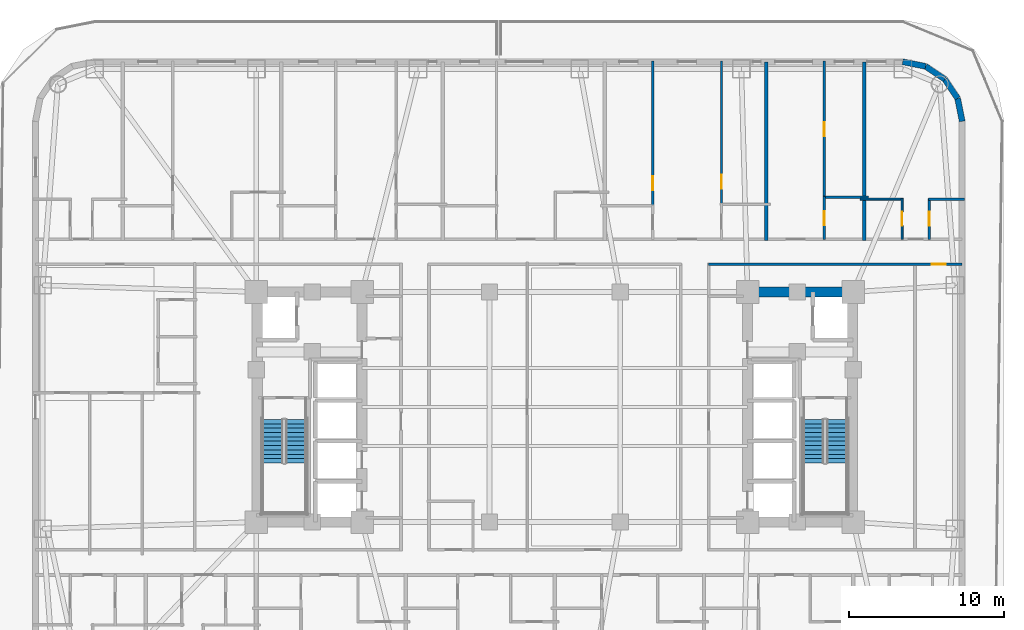
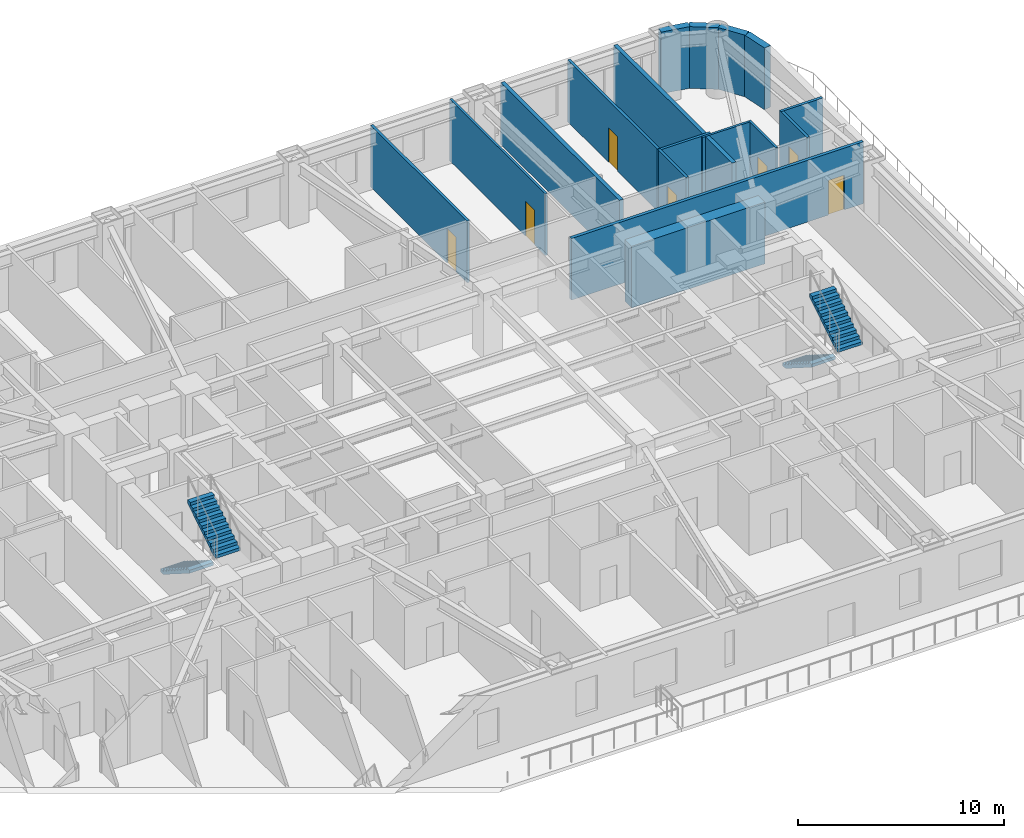
# One storey, part 9 of 14: 17 walls, 7 doors, 4 stair flights, 7 openings, 2 elements without a shape of their own.
"""IFC4 building model written with IfcOpenShell, lengths in metres."""

from ifc_helpers import new_model, si_unit, direction, frame, frame_2d, origin, place, context, subcontext, project, spatial, polyline, rectangle, outline, extrude, material, layer, layer_set, type_object, element, fill, aggregate, save


model = new_model("IFC4")

# Units and contexts
model_context = context("Model", 3, precision=1e-05, world=origin(), true_north=direction((0.0, 1.0)))
body_context = subcontext(model_context, "Body", "Model", "MODEL_VIEW")
ifc_project = project(units=[si_unit("LENGTHUNIT", "METRE"), si_unit("AREAUNIT", "SQUARE_METRE"), si_unit("VOLUMEUNIT", "CUBIC_METRE"), si_unit("PLANEANGLEUNIT", "RADIAN"), si_unit("MASSUNIT", "GRAM", prefix="KILO")], contexts=[model_context])

# Site, building, storey
site_placement = place(None, origin())
site = spatial("IfcSite", under=ifc_project, at=site_placement, CompositionType="ELEMENT")
building_placement = place(site_placement, origin())
building = spatial("IfcBuilding", under=site, at=building_placement, Name="Voryun Gate Residences", CompositionType="ELEMENT")
storey_placement = place(building_placement, frame((0.0, 0.0, 53.300048828125)))
storey = spatial("IfcBuildingStorey", under=building, at=storey_placement, Name="L12", CompositionType="ELEMENT", Elevation=53.300048828125)

# Wall
ifc_material_1 = material(Name="Concrete C60/75", Category="concrete")
ifc_layer_1 = layer(ifc_material_1, 0.64990234375, Name="CW_CORE_650")
ifc_layer_set_1 = layer_set([ifc_layer_1], Name="Concrete C60/75")
wall_type_1 = type_object("IfcWallType", Name="CW_CORE_650", PredefinedType="SHEAR", material=ifc_layer_set_1)
wall_1_placement = place(storey_placement, frame((12.074951171875, 7.39990234375, 0.0), z_axis=(0.0, 0.0, 1.0), x_axis=(1.0, 0.0, 0.0)))
element("IfcWall", 1, at=wall_1_placement, inside=storey, type_object=wall_type_1, Name="L12 Core shear wall CW-L12-EN", PredefinedType="SHEAR", context=body_context, shape_type="SweptSolid", body=[
    extrude(rectangle(XDim=7.449951171875, YDim=0.64990234375, at=frame_2d((3.72509765625, 0.0))), origin(), (0.0, 0.0, 1.0), 3.64990234375),
])

# Wall, opening, door
ifc_material_2 = material(Name="Gypsum acoustic fireboard")
ifc_layer_2 = layer(ifc_material_2, 0.179931640625, Name="W_CORR_RATED_180")
ifc_layer_set_2 = layer_set([ifc_layer_2], Name="Gypsum acoustic fireboard")
wall_type_2 = type_object("IfcWallType", Name="W_CORR_RATED_180", PredefinedType="PARTITIONING", material=ifc_layer_set_2)
wall_2_placement = place(storey_placement, frame((9.8798828125, 9.18994140625, 0.0), z_axis=(0.0, 0.0, 1.0), x_axis=(1.0, 0.0, 0.0)))
wall_2 = element("IfcWall", 2, at=wall_2_placement, inside=storey, type_object=wall_type_2, Name="Partition wall WP-L12-CWING-EN", PredefinedType="PARTITIONING", context=body_context, shape_type="SweptSolid", body=[
    extrude(rectangle(XDim=16.330078125, YDim=0.179931640625, at=frame_2d((8.1650390625, 0.0))), origin(), (0.0, 0.0, 1.0), 3.64990234375),
])
opening_1_placement = place(wall_2_placement, frame((14.364501953125, 0.0, 0.0)))
opening_1 = element("IfcOpeningElement", 3, at=opening_1_placement, cuts=wall_2, Name="Opening D-INT-2", PredefinedType="OPENING", context=body_context, shape_type="SweptSolid", body=[
    extrude(rectangle(XDim=0.89990234375, YDim=2.050048828125, at=frame_2d((0.449951171875, 1.02490234375))), frame((0.0, 0.099853515625, 0.0), z_axis=(0.0, -1.0, 0.0), x_axis=(1.0, 0.0, 0.0)), (0.0, 0.0, 1.0), 0.199951171875),
])
ifc_material_3 = material(Name="Architectural oak veneer")
door_type = type_object("IfcDoorType", Name="DR_INT_BATH_900", OperationType="NOTDEFINED", PredefinedType="DOOR", material=ifc_material_3)
door_1_placement = place(opening_1_placement, origin())
door_1 = element("IfcDoor", 4, at=door_1_placement, inside=storey, type_object=door_type, Name="Door DR-L12-EE1N", OperationType="SINGLE_SWING_LEFT", OverallHeight=2.050048828125, OverallWidth=0.89990234375, PredefinedType="DOOR", context=body_context, shape_type="SweptSolid", body=[
    extrude(rectangle(XDim=0.89990234375, YDim=2.050048828125, at=frame_2d((0.449951171875, 1.02490234375))), frame((0.0, 0.02490234375, 0.0), z_axis=(0.0, -1.0, 0.0), x_axis=(1.0, 0.0, 0.0)), (0.0, 0.0, 1.0), 0.050048828125),
])
fill(opening_1, door_1)

# Walls
ifc_material_4 = material(Name="Granite masonry", Category="masonry")
ifc_layer_3 = layer(ifc_material_4, 0.3798828125, Name="W_EXT_GRANITE_380")
ifc_layer_set_3 = layer_set([ifc_layer_3], Name="Granite masonry")
wall_type_3 = type_object("IfcWallType", Name="W_EXT_GRANITE_380", PredefinedType="ELEMENTEDWALL", material=ifc_layer_set_3)
wall_3_placement = place(storey_placement, frame((22.38134765625, 22.2099609375, 0.0), z_axis=(0.0, 0.0, 1.0), x_axis=(0.980786132421, -0.195086038585, 0.0)))
element("IfcWall", 5, at=wall_3_placement, inside=storey, type_object=wall_type_3, Name="Exterior wall WEXT-L12-12", PredefinedType="ELEMENTEDWALL", context=body_context, shape_type="SweptSolid", body=[
    extrude(rectangle(XDim=1.504150390625, YDim=0.3798828125, at=frame_2d((0.751953125, 0.0))), origin(), (0.0, 0.0, 1.0), 3.64990234375),
])
for number, where, z_axis, x_axis, name in (
    (6, (23.856689453125, 21.91650390625, 0.0), (0.0, 0.0, 1.0), (0.831392092774, -0.555686231674, 0.0), "Exterior wall WEXT-L12-13"),
    (7, (25.09130859375, 21.09130859375, 0.0), (0.0, 0.0, 1.0), (0.555686231674, -0.831392092774, 0.0), "Exterior wall WEXT-L12-14"),
):
    element("IfcWall", number, at=place(storey_placement, frame(where, z_axis=z_axis, x_axis=x_axis)), inside=storey, type_object=wall_type_3, Name=name, PredefinedType="ELEMENTEDWALL", context=body_context, shape_type="SweptSolid", body=[
        extrude(rectangle(XDim=1.485107421875, YDim=0.3798828125, at=frame_2d((0.74267578125, 0.0))), origin(), (0.0, 0.0, 1.0), 3.64990234375),
    ])
wall_4_placement = place(storey_placement, frame((25.91650390625, 19.856689453125, 0.0), z_axis=(0.0, 0.0, 1.0), x_axis=(0.195086038585, -0.980786132421, 0.0)))
element("IfcWall", 8, at=wall_4_placement, inside=storey, type_object=wall_type_3, Name="Exterior wall WEXT-L12-15", PredefinedType="ELEMENTEDWALL", context=body_context, shape_type="SweptSolid", body=[
    extrude(rectangle(XDim=1.504150390625, YDim=0.3798828125, at=frame_2d((0.751953125, 0.0))), origin(), (0.0, 0.0, 1.0), 3.64990234375),
])
ifc_material_5 = material(Name="Concrete C40/50", Category="concrete")
ifc_layer_4 = layer(ifc_material_5, 0.219970703125, Name="W_PARTY_ACOUSTIC_220")
ifc_layer_set_4 = layer_set([ifc_layer_4], Name="Concrete C40/50")
wall_type_4 = type_object("IfcWallType", Name="W_PARTY_ACOUSTIC_220", PredefinedType="PARTITIONING", material=ifc_layer_set_4)
for number, where, z_axis, x_axis, name in (
    (9, (13.60009765625, 10.719970703125, 0.0), (0.0, 0.0, 1.0), (0.0, 1.0, 0.0), "Partition wall WP-L12-NPTY-5"),
    (10, (19.908935546875, 10.719970703125, 0.0), (0.0, 0.0, 1.0), (0.0, 1.0, 0.0), "Partition wall WP-L12-NPTY-6"),
):
    element("IfcWall", number, at=place(storey_placement, frame(where, z_axis=z_axis, x_axis=x_axis)), inside=storey, type_object=wall_type_4, Name=name, PredefinedType="PARTITIONING", context=body_context, shape_type="SweptSolid", body=[
        extrude(rectangle(XDim=11.489990234375, YDim=0.219970703125, at=frame_2d((5.7451171875, 0.0))), origin(), (0.0, 0.0, 1.0), 3.64990234375),
    ])

# Wall, opening, door
ifc_material_6 = material(Name="Gypsum acoustic partition")
ifc_layer_5 = layer(ifc_material_6, 0.125, Name="W_UNIT_PART_125")
ifc_layer_set_5 = layer_set([ifc_layer_5], Name="Gypsum acoustic partition")
wall_type_5 = type_object("IfcWallType", Name="W_UNIT_PART_125", PredefinedType="PARTITIONING", material=ifc_layer_set_5)
wall_5_placement = place(storey_placement, frame((10.722900390625, 13.0, 0.0), z_axis=(0.0, 0.0, 1.0), x_axis=(0.0, 1.0, 0.0)))
wall_5 = element("IfcWall", 11, at=wall_5_placement, inside=storey, type_object=wall_type_5, Name="Partition wall WP-L12-N5-RVX2", PredefinedType="PARTITIONING", context=body_context, shape_type="SweptSolid", body=[
    extrude(rectangle(XDim=9.257568359375, YDim=0.125, at=frame_2d((4.62890625, 0.0))), origin(), (0.0, 0.0, 1.0), 3.64990234375),
])
opening_2_placement = place(wall_5_placement, frame((1.03125, 0.0, 0.0)))
opening_2 = element("IfcOpeningElement", 12, at=opening_2_placement, cuts=wall_5, Name="Opening D-INT-2", PredefinedType="OPENING", context=body_context, shape_type="SweptSolid", body=[
    extrude(rectangle(XDim=0.89990234375, YDim=2.050048828125, at=frame_2d((0.449951171875, 1.02490234375))), frame((0.0, 0.072509765625, 0.0), z_axis=(0.0, -1.0, 0.0), x_axis=(1.0, 0.0, 0.0)), (0.0, 0.0, 1.0), 0.14501953125),
])
door_2_placement = place(opening_2_placement, origin())
door_2 = element("IfcDoor", 13, at=door_2_placement, inside=storey, type_object=door_type, Name="Door DR-L12-N5-DB2", OperationType="SINGLE_SWING_LEFT", OverallHeight=2.050048828125, OverallWidth=0.89990234375, PredefinedType="DOOR", context=body_context, shape_type="SweptSolid", body=[
    extrude(rectangle(XDim=0.89990234375, YDim=2.050048828125, at=frame_2d((0.449951171875, 1.02490234375))), frame((0.0, 0.02490234375, 0.0), z_axis=(0.0, -1.0, 0.0), x_axis=(1.0, 0.0, 0.0)), (0.0, 0.0, 1.0), 0.050048828125),
])
fill(opening_2, door_2)

wall_6_placement = place(storey_placement, frame((22.343017578125, 10.780029296875, 0.0), z_axis=(0.0, 0.0, 1.0), x_axis=(0.0, 1.0, 0.0)))
wall_6 = element("IfcWall", 14, at=wall_6_placement, inside=storey, type_object=wall_type_5, Name="Partition wall WP-L12-N7-CVK", PredefinedType="PARTITIONING", context=body_context, shape_type="SweptSolid", body=[
    extrude(rectangle(XDim=2.64990234375, YDim=0.125, at=frame_2d((1.324951171875, 0.0))), origin(), (0.0, 0.0, 1.0), 3.64990234375),
])
opening_3_placement = place(wall_6_placement, frame((0.875, 0.0, 0.0)))
opening_3 = element("IfcOpeningElement", 15, at=opening_3_placement, cuts=wall_6, Name="Opening D-INT-2", PredefinedType="OPENING", context=body_context, shape_type="SweptSolid", body=[
    extrude(rectangle(XDim=0.89990234375, YDim=2.050048828125, at=frame_2d((0.449951171875, 1.02490234375))), frame((0.0, 0.072509765625, 0.0), z_axis=(0.0, -1.0, 0.0), x_axis=(1.0, 0.0, 0.0)), (0.0, 0.0, 1.0), 0.14501953125),
])
door_3_placement = place(opening_3_placement, origin())
door_3 = element("IfcDoor", 16, at=door_3_placement, inside=storey, type_object=door_type, Name="Door DR-L12-N7-DK", OperationType="SINGLE_SWING_LEFT", OverallHeight=2.050048828125, OverallWidth=0.89990234375, PredefinedType="DOOR", context=body_context, shape_type="SweptSolid", body=[
    extrude(rectangle(XDim=0.89990234375, YDim=2.050048828125, at=frame_2d((0.449951171875, 1.02490234375))), frame((0.0, 0.02490234375, 0.0), z_axis=(0.0, -1.0, 0.0), x_axis=(1.0, 0.0, 0.0)), (0.0, 0.0, 1.0), 0.050048828125),
])
fill(opening_3, door_3)

# Wall
wall_7_placement = place(storey_placement, frame((19.64892578125, 13.3701171875, 0.0), z_axis=(0.0, 0.0, 1.0), x_axis=(1.0, 0.0, 0.0)))
element("IfcWall", 17, at=wall_7_placement, inside=storey, type_object=wall_type_5, Name="Partition wall WP-L12-N7-CHK", PredefinedType="PARTITIONING", context=body_context, shape_type="SweptSolid", body=[
    extrude(rectangle(XDim=2.754150390625, YDim=0.125, at=frame_2d((1.376953125, 0.0))), origin(), (0.0, 0.0, 1.0), 3.64990234375),
])

# Wall, opening, door
ifc_material_7 = material(Name="Gypsum moisture-resistant partition")
ifc_layer_6 = layer(ifc_material_7, 0.14990234375, Name="W_WET_PLUMB_150")
ifc_layer_set_6 = layer_set([ifc_layer_6], Name="Gypsum moisture-resistant partition")
wall_type_6 = type_object("IfcWallType", Name="W_WET_PLUMB_150", PredefinedType="PLUMBINGWALL", material=ifc_layer_set_6)
wall_8_placement = place(storey_placement, frame((6.302978515625, 12.89990234375, 0.0), z_axis=(0.0, 0.0, 1.0), x_axis=(0.0, 1.0, 0.0)))
wall_8 = element("IfcWall", 18, at=wall_8_placement, inside=storey, type_object=wall_type_6, Name="Partition wall WP-L12-N5-LVX2", PredefinedType="PLUMBINGWALL", context=body_context, shape_type="SweptSolid", body=[
    extrude(rectangle(XDim=9.357666015625, YDim=0.14990234375, at=frame_2d((4.6787109375, 0.0))), origin(), (0.0, 0.0, 1.0), 3.64990234375),
])
opening_4_placement = place(wall_8_placement, frame((1.047119140625, 0.0, 0.0)))
opening_4 = element("IfcOpeningElement", 19, at=opening_4_placement, cuts=wall_8, Name="Opening D-INT-2", PredefinedType="OPENING", context=body_context, shape_type="SweptSolid", body=[
    extrude(rectangle(XDim=0.89990234375, YDim=2.050048828125, at=frame_2d((0.449951171875, 1.02490234375))), frame((0.0, 0.0849609375, 0.0), z_axis=(0.0, -1.0, 0.0), x_axis=(1.0, 0.0, 0.0)), (0.0, 0.0, 1.0), 0.169921875),
])
door_4_placement = place(opening_4_placement, origin())
door_4 = element("IfcDoor", 20, at=door_4_placement, inside=storey, type_object=door_type, Name="Door DR-L12-N5-DMB", OperationType="SINGLE_SWING_RIGHT", OverallHeight=2.050048828125, OverallWidth=0.89990234375, PredefinedType="DOOR", context=body_context, shape_type="SweptSolid", body=[
    extrude(rectangle(XDim=0.89990234375, YDim=2.050048828125, at=frame_2d((0.449951171875, 1.02490234375))), frame((0.0, 0.02490234375, 0.0), z_axis=(0.0, -1.0, 0.0), x_axis=(1.0, 0.0, 0.0)), (0.0, 0.0, 1.0), 0.050048828125),
])
fill(opening_4, door_4)

# Wall
wall_9_placement = place(storey_placement, frame((17.25, 13.5, 0.0), z_axis=(0.0, 0.0, 1.0), x_axis=(1.0, 0.0, 0.0)))
element("IfcWall", 21, at=wall_9_placement, inside=storey, type_object=wall_type_6, Name="Partition wall WP-L12-N6-SKB", PredefinedType="PLUMBINGWALL", context=body_context, shape_type="SweptSolid", body=[
    extrude(rectangle(XDim=2.9189453125, YDim=0.14990234375, at=frame_2d((1.45947265625, 0.0))), origin(), (0.0, 0.0, 1.0), 3.64990234375),
])

# Wall, opening, door
wall_10_placement = place(storey_placement, frame((17.330078125, 10.780029296875, 0.0), z_axis=(0.0, 0.0, 1.0), x_axis=(0.0, 1.0, 0.0)))
wall_10 = element("IfcWall", 22, at=wall_10_placement, inside=storey, type_object=wall_type_6, Name="Partition wall WP-L12-N6-SVT1", PredefinedType="PLUMBINGWALL", context=body_context, shape_type="SweptSolid", body=[
    extrude(rectangle(XDim=2.760009765625, YDim=0.14990234375, at=frame_2d((1.3798828125, 0.0))), origin(), (0.0, 0.0, 1.0), 3.64990234375),
])
opening_5_placement = place(wall_10_placement, frame((0.929931640625, 0.0, 0.0)))
opening_5 = element("IfcOpeningElement", 23, at=opening_5_placement, cuts=wall_10, Name="Opening D-INT-2", PredefinedType="OPENING", context=body_context, shape_type="SweptSolid", body=[
    extrude(rectangle(XDim=0.89990234375, YDim=2.050048828125, at=frame_2d((0.449951171875, 1.02490234375))), frame((0.0, 0.0849609375, 0.0), z_axis=(0.0, -1.0, 0.0), x_axis=(1.0, 0.0, 0.0)), (0.0, 0.0, 1.0), 0.169921875),
])
door_5_placement = place(opening_5_placement, origin())
door_5 = element("IfcDoor", 24, at=door_5_placement, inside=storey, type_object=door_type, Name="Door DR-L12-N6-DB", OperationType="SINGLE_SWING_LEFT", OverallHeight=2.050048828125, OverallWidth=0.89990234375, PredefinedType="DOOR", context=body_context, shape_type="SweptSolid", body=[
    extrude(rectangle(XDim=0.89990234375, YDim=2.050048828125, at=frame_2d((0.449951171875, 1.02490234375))), frame((0.0, 0.02490234375, 0.0), z_axis=(0.0, -1.0, 0.0), x_axis=(1.0, 0.0, 0.0)), (0.0, 0.0, 1.0), 0.050048828125),
])
fill(opening_5, door_5)

wall_11_placement = place(storey_placement, frame((17.330078125, 13.4599609375, 0.0), z_axis=(0.0, 0.0, 1.0), x_axis=(0.0, 1.0, 0.0)))
wall_11 = element("IfcWall", 25, at=wall_11_placement, inside=storey, type_object=wall_type_6, Name="Partition wall WP-L12-N6-SVT2", PredefinedType="PLUMBINGWALL", context=body_context, shape_type="SweptSolid", body=[
    extrude(rectangle(XDim=8.797607421875, YDim=0.14990234375, at=frame_2d((4.39892578125, 0.0))), origin(), (0.0, 0.0, 1.0), 3.64990234375),
])
opening_6_placement = place(wall_11_placement, frame((3.94873046875, 0.0, 0.0)))
opening_6 = element("IfcOpeningElement", 26, at=opening_6_placement, cuts=wall_11, Name="Opening D-INT-2", PredefinedType="OPENING", context=body_context, shape_type="SweptSolid", body=[
    extrude(rectangle(XDim=0.89990234375, YDim=2.050048828125, at=frame_2d((0.449951171875, 1.02490234375))), frame((0.0, 0.0849609375, 0.0), z_axis=(0.0, -1.0, 0.0), x_axis=(1.0, 0.0, 0.0)), (0.0, 0.0, 1.0), 0.169921875),
])
door_6_placement = place(opening_6_placement, origin())
door_6 = element("IfcDoor", 27, at=door_6_placement, inside=storey, type_object=door_type, Name="Door DR-L12-N6-DK", OperationType="SINGLE_SWING_RIGHT", OverallHeight=2.050048828125, OverallWidth=0.89990234375, PredefinedType="DOOR", context=body_context, shape_type="SweptSolid", body=[
    extrude(rectangle(XDim=0.89990234375, YDim=2.050048828125, at=frame_2d((0.449951171875, 1.02490234375))), frame((0.0, 0.02490234375, 0.0), z_axis=(0.0, -1.0, 0.0), x_axis=(1.0, 0.0, 0.0)), (0.0, 0.0, 1.0), 0.050048828125),
])
fill(opening_6, door_6)

wall_12_placement = place(storey_placement, frame((24.093017578125, 10.780029296875, 0.0), z_axis=(0.0, 0.0, 1.0), x_axis=(0.0, 1.0, 0.0)))
wall_12 = element("IfcWall", 28, at=wall_12_placement, inside=storey, type_object=wall_type_6, Name="Partition wall WP-L12-N7-CVB", PredefinedType="PLUMBINGWALL", context=body_context, shape_type="SweptSolid", body=[
    extrude(rectangle(XDim=2.64990234375, YDim=0.14990234375, at=frame_2d((1.324951171875, 0.0))), origin(), (0.0, 0.0, 1.0), 3.64990234375),
])
opening_7_placement = place(wall_12_placement, frame((0.875, 0.0, 0.0)))
opening_7 = element("IfcOpeningElement", 29, at=opening_7_placement, cuts=wall_12, Name="Opening D-INT-2", PredefinedType="OPENING", context=body_context, shape_type="SweptSolid", body=[
    extrude(rectangle(XDim=0.89990234375, YDim=2.050048828125, at=frame_2d((0.449951171875, 1.02490234375))), frame((0.0, 0.0849609375, 0.0), z_axis=(0.0, -1.0, 0.0), x_axis=(1.0, 0.0, 0.0)), (0.0, 0.0, 1.0), 0.169921875),
])
door_7_placement = place(opening_7_placement, origin())
door_7 = element("IfcDoor", 30, at=door_7_placement, inside=storey, type_object=door_type, Name="Door DR-L12-N7-DB", OperationType="SINGLE_SWING_RIGHT", OverallHeight=2.050048828125, OverallWidth=0.89990234375, PredefinedType="DOOR", context=body_context, shape_type="SweptSolid", body=[
    extrude(rectangle(XDim=0.89990234375, YDim=2.050048828125, at=frame_2d((0.449951171875, 1.02490234375))), frame((0.0, 0.02490234375, 0.0), z_axis=(0.0, -1.0, 0.0), x_axis=(1.0, 0.0, 0.0)), (0.0, 0.0, 1.0), 0.050048828125),
])
fill(opening_7, door_7)

# Wall
wall_13_placement = place(storey_placement, frame((24.032958984375, 13.3701171875, 0.0), z_axis=(0.0, 0.0, 1.0), x_axis=(1.0, 0.0, 0.0)))
element("IfcWall", 31, at=wall_13_placement, inside=storey, type_object=wall_type_6, Name="Partition wall WP-L12-N7-CHB", PredefinedType="PLUMBINGWALL", context=body_context, shape_type="SweptSolid", body=[
    extrude(rectangle(XDim=2.3271484375, YDim=0.14990234375, at=frame_2d((1.16357421875, 0.0))), origin(), (0.0, 0.0, 1.0), 3.64990234375),
])

# Stair, stair flights
ifc_material_8 = material(Name="Concrete C40/50", Category="concrete")
stair_type = type_object("IfcStairType", Name="STR_CORE_DOGLEG_1350", PredefinedType="HALF_TURN_STAIR", material=ifc_material_8)
stair_1_placement = place(storey_placement, origin())
stair_1 = element("IfcStair", 32, at=stair_1_placement, inside=storey, type_object=stair_type, Name="L12 Special Escape Stair ST-W1", PredefinedType="HALF_TURN_STAIR")
ifc_material_9 = material(Name="Concrete C40/50", Category="concrete")
stair_flight_type = type_object("IfcStairFlightType", Name="FLT_CORE_1350", PredefinedType="STRAIGHT", material=ifc_material_9)
stair_flight_1_placement = place(storey_placement, frame((-18.14990234375, -0.800048828125, 0.0), z_axis=(0.0, 0.0, 1.0), x_axis=(0.0, -1.0, 0.0)))
stair_flight_1 = element("IfcStairFlight", 33, at=stair_flight_1_placement, type_object=stair_flight_type, Name="ST-W1 flight 1", NumberOfRisers=11, NumberOfTreads=10, PredefinedType="STRAIGHT", RiserHeight=0.177272727, TreadLength=0.28, context=body_context, shape_type="SweptSolid", body=[
    extrude(outline(polyline([(0.0, 0.0), (0.0, 0.17724609375), (0.280029296875, 0.17724609375), (0.280029296875, 0.3544921875), (0.56005859375, 0.3544921875), (0.56005859375, 0.53173828125), (0.840087890625, 0.53173828125), (0.840087890625, 0.708984375), (1.1201171875, 0.708984375), (1.1201171875, 0.886474609375), (1.39990234375, 0.886474609375), (1.39990234375, 1.063720703125), (1.679931640625, 1.063720703125), (1.679931640625, 1.240966796875), (1.9599609375, 1.240966796875), (1.9599609375, 1.418212890625), (2.239990234375, 1.418212890625), (2.239990234375, 1.595458984375), (2.52001953125, 1.595458984375), (2.52001953125, 1.772705078125), (2.800048828125, 1.772705078125), (2.800048828125, 1.949951171875), (2.800048828125, 1.59521484375), (0.2802734375, 0.0), (0.0, 0.0)])), frame((0.0, 0.675048828125, 0.0), z_axis=(0.0, -1.0, 0.0), x_axis=(1.0, 0.0, 0.0)), (0.0, 0.0, 1.0), 1.35009765625),
])
stair_flight_2_placement = place(storey_placement, frame((-16.64990234375, -3.60009765625, 1.949951171875), z_axis=(0.0, 0.0, 1.0), x_axis=(0.0, 1.0, 0.0)))
stair_flight_2 = element("IfcStairFlight", 34, at=stair_flight_2_placement, type_object=stair_flight_type, Name="ST-W1 flight 2", NumberOfRisers=11, NumberOfTreads=10, PredefinedType="STRAIGHT", RiserHeight=0.177272727, TreadLength=0.28, context=body_context, shape_type="SweptSolid", body=[
    extrude(outline(polyline([(0.0, 0.0), (0.0, 0.17724609375), (0.280029296875, 0.17724609375), (0.280029296875, 0.3544921875), (0.56005859375, 0.3544921875), (0.56005859375, 0.53173828125), (0.840087890625, 0.53173828125), (0.840087890625, 0.708984375), (1.1201171875, 0.708984375), (1.1201171875, 0.886474609375), (1.39990234375, 0.886474609375), (1.39990234375, 1.063720703125), (1.679931640625, 1.063720703125), (1.679931640625, 1.240966796875), (1.9599609375, 1.240966796875), (1.9599609375, 1.418212890625), (2.239990234375, 1.418212890625), (2.239990234375, 1.595458984375), (2.52001953125, 1.595458984375), (2.52001953125, 1.772705078125), (2.800048828125, 1.772705078125), (2.800048828125, 1.949951171875), (2.800048828125, 1.59521484375), (0.2802734375, 0.0), (0.0, 0.0)])), frame((0.0, 0.675048828125, 0.0), z_axis=(0.0, -1.0, 0.0), x_axis=(1.0, 0.0, 0.0)), (0.0, 0.0, 1.0), 1.35009765625),
])
aggregate(stair_1, [stair_flight_1, stair_flight_2])

stair_2_placement = place(storey_placement, origin())
stair_2 = element("IfcStair", 35, at=stair_2_placement, inside=storey, type_object=stair_type, Name="L12 Special Escape Stair ST-E1", PredefinedType="HALF_TURN_STAIR")
stair_flight_3_placement = place(storey_placement, frame((16.64990234375, -0.800048828125, 0.0), z_axis=(0.0, 0.0, 1.0), x_axis=(0.0, -1.0, 0.0)))
stair_flight_3 = element("IfcStairFlight", 36, at=stair_flight_3_placement, type_object=stair_flight_type, Name="ST-E1 flight 1", NumberOfRisers=11, NumberOfTreads=10, PredefinedType="STRAIGHT", RiserHeight=0.177272727, TreadLength=0.28, context=body_context, shape_type="SweptSolid", body=[
    extrude(outline(polyline([(0.0, 0.0), (0.0, 0.17724609375), (0.280029296875, 0.17724609375), (0.280029296875, 0.3544921875), (0.56005859375, 0.3544921875), (0.56005859375, 0.53173828125), (0.840087890625, 0.53173828125), (0.840087890625, 0.708984375), (1.1201171875, 0.708984375), (1.1201171875, 0.886474609375), (1.39990234375, 0.886474609375), (1.39990234375, 1.063720703125), (1.679931640625, 1.063720703125), (1.679931640625, 1.240966796875), (1.9599609375, 1.240966796875), (1.9599609375, 1.418212890625), (2.239990234375, 1.418212890625), (2.239990234375, 1.595458984375), (2.52001953125, 1.595458984375), (2.52001953125, 1.772705078125), (2.800048828125, 1.772705078125), (2.800048828125, 1.949951171875), (2.800048828125, 1.59521484375), (0.2802734375, 0.0), (0.0, 0.0)])), frame((0.0, 0.675048828125, 0.0), z_axis=(0.0, -1.0, 0.0), x_axis=(1.0, 0.0, 0.0)), (0.0, 0.0, 1.0), 1.35009765625),
])
stair_flight_4_placement = place(storey_placement, frame((18.14990234375, -3.60009765625, 1.949951171875), z_axis=(0.0, 0.0, 1.0), x_axis=(0.0, 1.0, 0.0)))
stair_flight_4 = element("IfcStairFlight", 37, at=stair_flight_4_placement, type_object=stair_flight_type, Name="ST-E1 flight 2", NumberOfRisers=11, NumberOfTreads=10, PredefinedType="STRAIGHT", RiserHeight=0.177272727, TreadLength=0.28, context=body_context, shape_type="SweptSolid", body=[
    extrude(outline(polyline([(0.0, 0.0), (0.0, 0.17724609375), (0.280029296875, 0.17724609375), (0.280029296875, 0.3544921875), (0.56005859375, 0.3544921875), (0.56005859375, 0.53173828125), (0.840087890625, 0.53173828125), (0.840087890625, 0.708984375), (1.1201171875, 0.708984375), (1.1201171875, 0.886474609375), (1.39990234375, 0.886474609375), (1.39990234375, 1.063720703125), (1.679931640625, 1.063720703125), (1.679931640625, 1.240966796875), (1.9599609375, 1.240966796875), (1.9599609375, 1.418212890625), (2.239990234375, 1.418212890625), (2.239990234375, 1.595458984375), (2.52001953125, 1.595458984375), (2.52001953125, 1.772705078125), (2.800048828125, 1.772705078125), (2.800048828125, 1.949951171875), (2.800048828125, 1.59521484375), (0.2802734375, 0.0), (0.0, 0.0)])), frame((0.0, 0.675048828125, 0.0), z_axis=(0.0, -1.0, 0.0), x_axis=(1.0, 0.0, 0.0)), (0.0, 0.0, 1.0), 1.35009765625),
])
aggregate(stair_2, [stair_flight_3, stair_flight_4])

save(model, "model.ifc")
